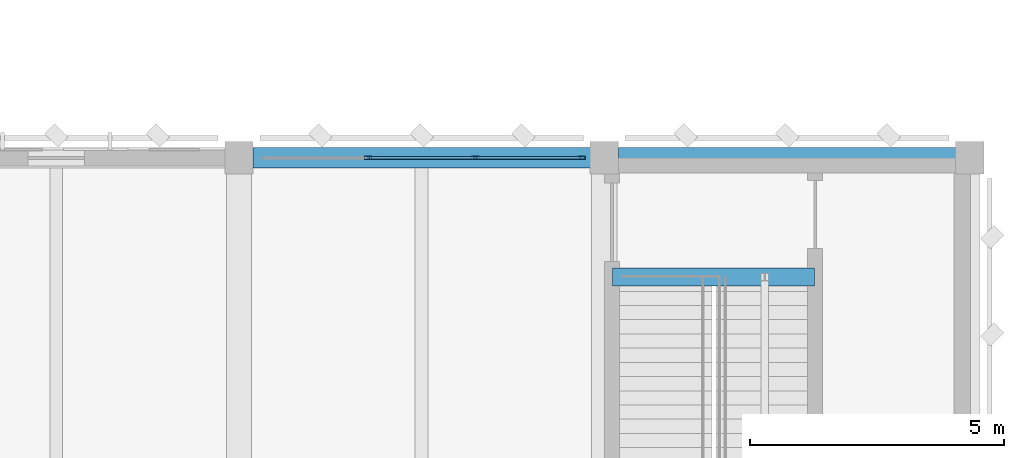
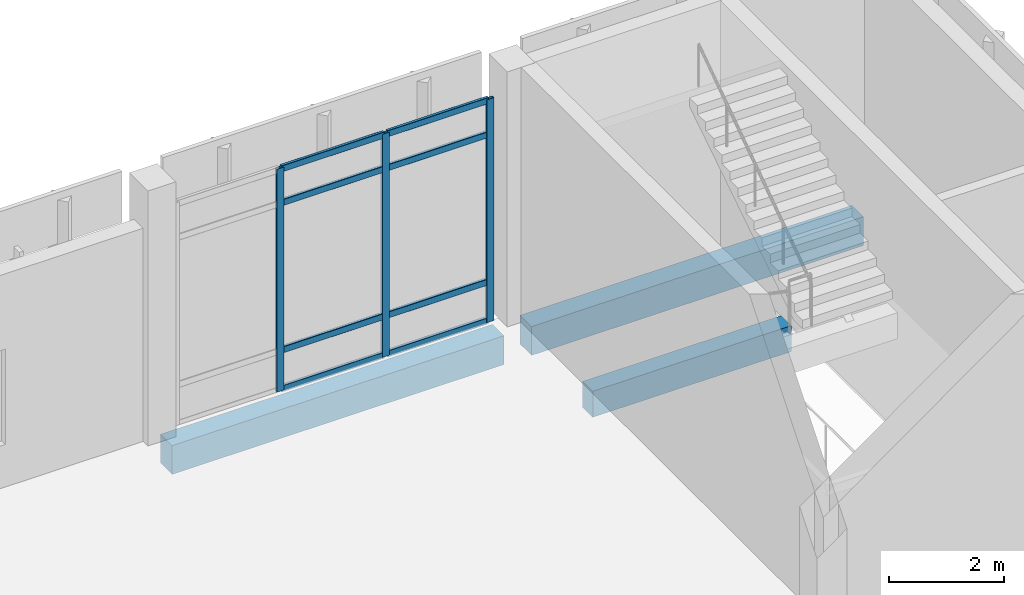
# One storey, part 138 of 180: 11 members, 3 beams, 1 element without a shape of its own.
"""IFC4 building model written with IfcOpenShell, lengths in metres."""

from ifc_helpers import new_model, si_unit, direction, frame, origin, origin_2d, place, context, subcontext, project, spatial, rectangle, hollow_rectangle, extrude, material, material_profile, profile_set, type_object, element, aggregate, save


model = new_model("IFC4")

# Units and contexts
model_context = context("Model", 3, precision=1e-05, world=origin(), true_north=direction((0.0, 1.0)))
body_context = subcontext(model_context, "Body", "Model", "MODEL_VIEW")
ifc_project = project(units=[si_unit("LENGTHUNIT", "METRE"), si_unit("AREAUNIT", "SQUARE_METRE"), si_unit("VOLUMEUNIT", "CUBIC_METRE"), si_unit("PLANEANGLEUNIT", "RADIAN"), si_unit("MASSUNIT", "GRAM", prefix="KILO")], contexts=[model_context])

# Site, building, storey
site_placement = place(None, origin())
site = spatial("IfcSite", under=ifc_project, at=site_placement, CompositionType="ELEMENT")
building_placement = place(site_placement, origin())
building = spatial("IfcBuilding", under=site, at=building_placement, Name="Lusvemor Sports Hall", CompositionType="ELEMENT")
storey_placement = place(building_placement, frame((0.0, 0.0, 5.39990234375)))
storey = spatial("IfcBuildingStorey", under=building, at=storey_placement, Name="L01", CompositionType="ELEMENT", Elevation=5.39990234375)

# Beam
ifc_material_1 = material(Name="Concrete C40/50", Category="concrete")
ifc_material_profile_1 = material_profile(ifc_material_1, rectangle(XDim=0.35009765625, YDim=0.550048828125, at=origin_2d()), Name="RC350x550")
ifc_profile_set_1 = profile_set([ifc_material_profile_1], Name="Concrete C40/50")
beam_type_1 = type_object("IfcBeamType", Name="BEAM_RC_550", PredefinedType="BEAM", material=ifc_profile_set_1)
beam_placement = place(storey_placement, frame((162.159912109375, 112.85009765625, -0.454833984375), z_axis=(1.0, 0.0, 0.0), x_axis=(0.0, 1.0, 0.0)))
element("IfcBeam", 1, at=beam_placement, inside=storey, type_object=beam_type_1, Name="Stair STR-C5-L00 Top-Landing Beam", PredefinedType="BEAM", context=body_context, shape_type="SweptSolid", body=[
    extrude(rectangle(XDim=0.35009765625, YDim=0.550048828125, at=origin_2d()), origin(), (0.0, 0.0, 1.0), 3.97998046875),
])

# Curtain wall, members
ifc_material_2 = material(Name="Thermally broken bronze-anodized aluminium", Category="aluminium")
curtain_wall_type = type_object("IfcCurtainWallType", Name="CW_WING_B", PredefinedType="NOTDEFINED", material=ifc_material_2)
curtain_wall_placement = place(storey_placement, origin())
curtain_wall = element("IfcCurtainWall", 2, at=curtain_wall_placement, inside=storey, type_object=curtain_wall_type, Name="Curtain Wall CW-L01-N-1-17", PredefinedType="NOTDEFINED")
ifc_material_3 = material(Name="Thermally broken bronze-anodized aluminium", Category="aluminium")
ifc_material_profile_2 = material_profile(ifc_material_3, hollow_rectangle(XDim=0.06494140625, YDim=0.14990234375, WallThickness=0.00390625, InnerFilletRadius=0.00390625, OuterFilletRadius=0.008056640625, at=origin_2d()), Name="CWMUL150x65x4")
ifc_profile_set_2 = profile_set([ifc_material_profile_2], Name="Thermally broken bronze-anodized aluminium")
member_type_1 = type_object("IfcMemberType", Name="CW_MUL_B", PredefinedType="MULLION", material=ifc_profile_set_2)
member_1_placement = place(storey_placement, frame((157.340087890625, 115.199951171875, 0.0), z_axis=(0.0, 0.0, 1.0), x_axis=(0.0, 1.0, 0.0)))
member_1 = element("IfcMember", 3, at=member_1_placement, type_object=member_type_1, Name="CW02 mullion 2", PredefinedType="MULLION", context=body_context, shape_type="SweptSolid", body=[
    extrude(hollow_rectangle(XDim=0.06494140625, YDim=0.14990234375, WallThickness=0.00390625, InnerFilletRadius=0.00390625, OuterFilletRadius=0.008056640625, at=origin_2d()), origin(), (0.0, 0.0, 1.0), 4.72021484375),
])
member_2_placement = place(storey_placement, frame((159.4599609375, 115.199951171875, 0.0), z_axis=(0.0, 0.0, 1.0), x_axis=(0.0, 1.0, 0.0)))
member_2 = element("IfcMember", 4, at=member_2_placement, type_object=member_type_1, Name="CW02 mullion 3", PredefinedType="MULLION", context=body_context, shape_type="SweptSolid", body=[
    extrude(hollow_rectangle(XDim=0.06494140625, YDim=0.14990234375, WallThickness=0.00390625, InnerFilletRadius=0.00390625, OuterFilletRadius=0.008056640625, at=origin_2d()), origin(), (0.0, 0.0, 1.0), 4.72021484375),
])
member_3_placement = place(storey_placement, frame((161.547607421875, 115.199951171875, 0.0), z_axis=(0.0, 0.0, 1.0), x_axis=(0.0, 1.0, 0.0)))
member_3 = element("IfcMember", 5, at=member_3_placement, type_object=member_type_1, Name="CW02 mullion 4", PredefinedType="MULLION", context=body_context, shape_type="SweptSolid", body=[
    extrude(hollow_rectangle(XDim=0.06494140625, YDim=0.14990234375, WallThickness=0.00390625, InnerFilletRadius=0.00390625, OuterFilletRadius=0.008056640625, at=origin_2d()), origin(), (0.0, 0.0, 1.0), 4.72021484375),
])
ifc_material_4 = material(Name="Thermally broken bronze-anodized aluminium", Category="aluminium")
ifc_material_profile_3 = material_profile(ifc_material_4, hollow_rectangle(XDim=0.06005859375, YDim=0.135009765625, WallThickness=0.00390625, InnerFilletRadius=0.00390625, OuterFilletRadius=0.008056640625, at=origin_2d()), Name="CWTRN135x60x4")
ifc_profile_set_3 = profile_set([ifc_material_profile_3], Name="Thermally broken bronze-anodized aluminium")
member_type_2 = type_object("IfcMemberType", Name="CW_TRN_B", PredefinedType="USERDEFINED", material=ifc_profile_set_3)
member_4_placement = place(storey_placement, frame((157.37255859375, 115.199951171875, 0.030029296875), z_axis=(1.0, 0.0, 0.0), x_axis=(0.0, 1.0, 0.0)))
member_4 = element("IfcMember", 6, at=member_4_placement, type_object=member_type_2, Name="CW02 transom 2.1", ObjectType="TRANSOM", PredefinedType="USERDEFINED", context=body_context, shape_type="SweptSolid", body=[
    extrude(hollow_rectangle(XDim=0.06005859375, YDim=0.135009765625, WallThickness=0.00390625, InnerFilletRadius=0.00390625, OuterFilletRadius=0.008056640625, at=origin_2d()), origin(), (0.0, 0.0, 1.0), 2.054931640625),
])
member_5_placement = place(storey_placement, frame((157.37255859375, 115.199951171875, 0.85009765625), z_axis=(1.0, 0.0, 0.0), x_axis=(0.0, 1.0, 0.0)))
member_5 = element("IfcMember", 7, at=member_5_placement, type_object=member_type_2, Name="CW02 transom 2.2", ObjectType="TRANSOM", PredefinedType="USERDEFINED", context=body_context, shape_type="SweptSolid", body=[
    extrude(hollow_rectangle(XDim=0.06005859375, YDim=0.135009765625, WallThickness=0.00390625, InnerFilletRadius=0.00390625, OuterFilletRadius=0.008056640625, at=origin_2d()), origin(), (0.0, 0.0, 1.0), 2.054931640625),
])
member_6_placement = place(storey_placement, frame((157.37255859375, 115.199951171875, 3.97021484375), z_axis=(1.0, 0.0, 0.0), x_axis=(0.0, 1.0, 0.0)))
member_6 = element("IfcMember", 8, at=member_6_placement, type_object=member_type_2, Name="CW02 transom 2.3", ObjectType="TRANSOM", PredefinedType="USERDEFINED", context=body_context, shape_type="SweptSolid", body=[
    extrude(hollow_rectangle(XDim=0.06005859375, YDim=0.135009765625, WallThickness=0.00390625, InnerFilletRadius=0.00390625, OuterFilletRadius=0.008056640625, at=origin_2d()), origin(), (0.0, 0.0, 1.0), 2.054931640625),
])
member_7_placement = place(storey_placement, frame((157.37255859375, 115.199951171875, 4.690185546875), z_axis=(1.0, 0.0, 0.0), x_axis=(0.0, 1.0, 0.0)))
member_7 = element("IfcMember", 9, at=member_7_placement, type_object=member_type_2, Name="CW02 transom 2.4", ObjectType="TRANSOM", PredefinedType="USERDEFINED", context=body_context, shape_type="SweptSolid", body=[
    extrude(hollow_rectangle(XDim=0.06005859375, YDim=0.135009765625, WallThickness=0.00390625, InnerFilletRadius=0.00390625, OuterFilletRadius=0.008056640625, at=origin_2d()), origin(), (0.0, 0.0, 1.0), 2.054931640625),
])
member_8_placement = place(storey_placement, frame((159.492431640625, 115.199951171875, 0.030029296875), z_axis=(1.0, 0.0, 0.0), x_axis=(0.0, 1.0, 0.0)))
member_8 = element("IfcMember", 10, at=member_8_placement, type_object=member_type_2, Name="CW02 transom 3.1", ObjectType="TRANSOM", PredefinedType="USERDEFINED", context=body_context, shape_type="SweptSolid", body=[
    extrude(hollow_rectangle(XDim=0.06005859375, YDim=0.135009765625, WallThickness=0.00390625, InnerFilletRadius=0.00390625, OuterFilletRadius=0.008056640625, at=origin_2d()), origin(), (0.0, 0.0, 1.0), 2.0224609375),
])
member_9_placement = place(storey_placement, frame((159.492431640625, 115.199951171875, 0.85009765625), z_axis=(1.0, 0.0, 0.0), x_axis=(0.0, 1.0, 0.0)))
member_9 = element("IfcMember", 11, at=member_9_placement, type_object=member_type_2, Name="CW02 transom 3.2", ObjectType="TRANSOM", PredefinedType="USERDEFINED", context=body_context, shape_type="SweptSolid", body=[
    extrude(hollow_rectangle(XDim=0.06005859375, YDim=0.135009765625, WallThickness=0.00390625, InnerFilletRadius=0.00390625, OuterFilletRadius=0.008056640625, at=origin_2d()), origin(), (0.0, 0.0, 1.0), 2.0224609375),
])
member_10_placement = place(storey_placement, frame((159.492431640625, 115.199951171875, 3.97021484375), z_axis=(1.0, 0.0, 0.0), x_axis=(0.0, 1.0, 0.0)))
member_10 = element("IfcMember", 12, at=member_10_placement, type_object=member_type_2, Name="CW02 transom 3.3", ObjectType="TRANSOM", PredefinedType="USERDEFINED", context=body_context, shape_type="SweptSolid", body=[
    extrude(hollow_rectangle(XDim=0.06005859375, YDim=0.135009765625, WallThickness=0.00390625, InnerFilletRadius=0.00390625, OuterFilletRadius=0.008056640625, at=origin_2d()), origin(), (0.0, 0.0, 1.0), 2.0224609375),
])
member_11_placement = place(storey_placement, frame((159.492431640625, 115.199951171875, 4.690185546875), z_axis=(1.0, 0.0, 0.0), x_axis=(0.0, 1.0, 0.0)))
member_11 = element("IfcMember", 13, at=member_11_placement, type_object=member_type_2, Name="CW02 transom 3.4", ObjectType="TRANSOM", PredefinedType="USERDEFINED", context=body_context, shape_type="SweptSolid", body=[
    extrude(hollow_rectangle(XDim=0.06005859375, YDim=0.135009765625, WallThickness=0.00390625, InnerFilletRadius=0.00390625, OuterFilletRadius=0.008056640625, at=origin_2d()), origin(), (0.0, 0.0, 1.0), 2.0224609375),
])
aggregate(curtain_wall, [member_1, member_2, member_3, member_4, member_5, member_6, member_7, member_8, member_9, member_10, member_11])

# Beams
ifc_material_5 = material(Name="Concrete C40/50", Category="concrete")
ifc_material_profile_4 = material_profile(ifc_material_5, rectangle(XDim=0.39990234375, YDim=0.610107421875, at=origin_2d()), Name="RC400x610")
ifc_profile_set_4 = profile_set([ifc_material_profile_4], Name="Concrete C40/50")
beam_type_2 = type_object("IfcBeamType", Name="SPAND_EXT_650", PredefinedType="SPANDREL", material=ifc_profile_set_4)
for number, where, z_axis, x_axis, name in (
    (14, (155.075927734375, 115.199951171875, -0.56494140625), (1.0, 0.0, 0.0), (0.0, 1.0, 0.0), "Beam L01 Q:18-19"),
    (15, (162.27587890625, 115.199951171875, -0.56494140625), (1.0, 0.0, 0.0), (0.0, 1.0, 0.0), "Beam L01 Q:19-20"),
):
    element("IfcBeam", number, at=place(storey_placement, frame(where, z_axis=z_axis, x_axis=x_axis)), inside=storey, type_object=beam_type_2, Name=name, PredefinedType="SPANDREL", context=body_context, shape_type="SweptSolid", body=[
        extrude(rectangle(XDim=0.39990234375, YDim=0.610107421875, at=origin_2d()), origin(), (0.0, 0.0, 1.0), 6.648193359375),
    ])

save(model, "model.ifc")
